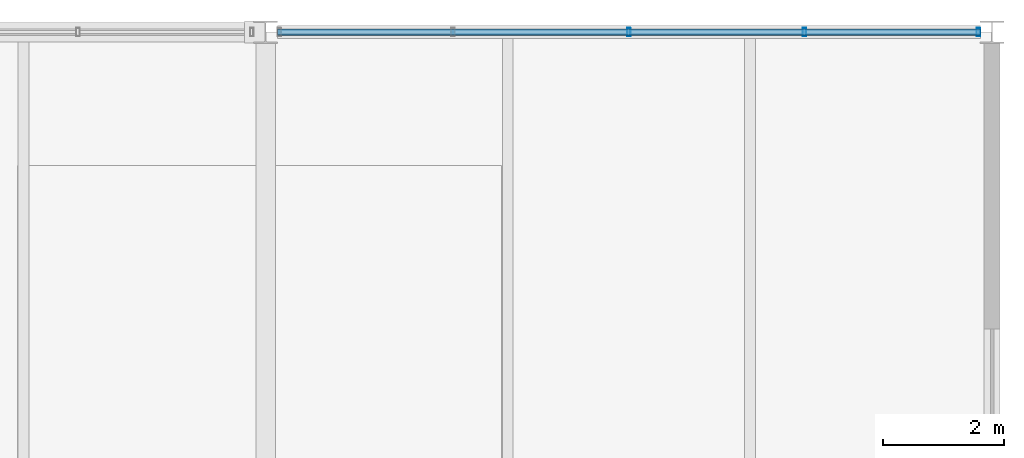
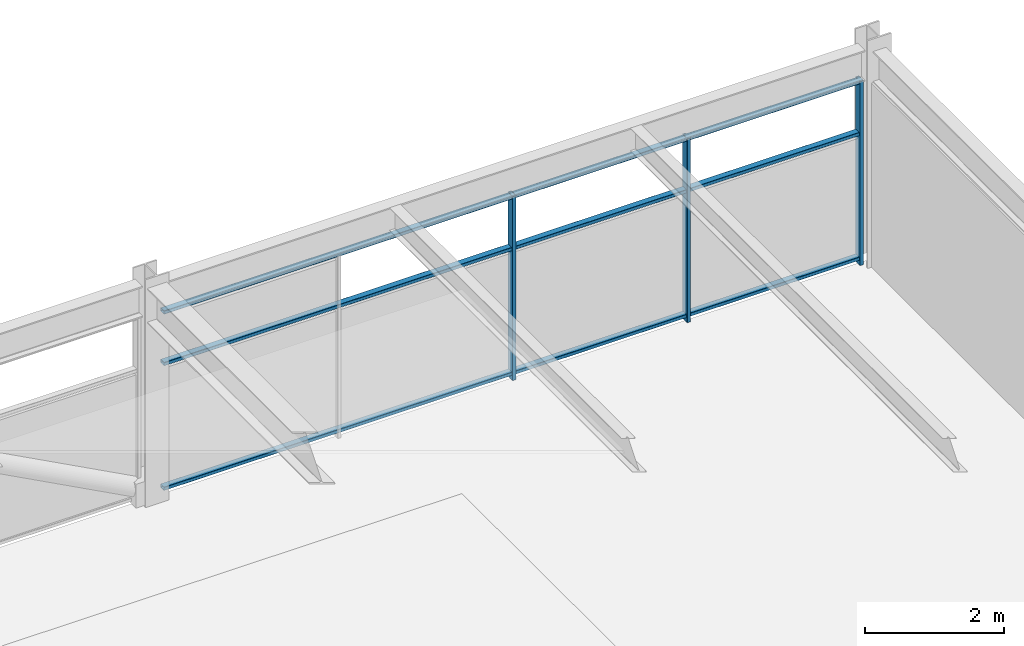
# One storey, part 42 of 52: 6 members, 1 element without a shape of its own.
"""IFC4 building model written with IfcOpenShell, lengths in metres."""

import ifcopenshell
import ifcopenshell.guid

model = None  # the IFC model being written
_history = None  # IfcOwnerHistory: only IFC2X3 demands one
_inside = {}  # id of a spatial element -> (the spatial element, [elements in it])
_under = {}  # id of a project, library or spatial element -> (it, [spatial elements below it])
_declared = {}  # id of a project -> (the project, [libraries it declares])
_typed = {}  # id of a type object -> (the type object, [elements of that type])
_made_of = {}  # id of a material, layer set ... -> (it, [elements and type objects made of it])


def new_model(schema):
    """Start an empty IFC model of exactly this schema.

    Asked for "IFC4X3", IfcOpenShell would pick the latest addendum, in which some entities
    have other attributes; the version numbers below select the first issue.
    IFC2X3 requires an IfcOwnerHistory on every rooted entity: one is made here for all.
    """
    global model, _history
    if schema == "IFC4X3":
        model = ifcopenshell.file(schema_version=(4, 3, 0, 0))
    else:
        model = ifcopenshell.file(schema=schema)
    _inside.clear()
    _under.clear()
    _declared.clear()
    _typed.clear()
    _made_of.clear()
    _history = None
    if model.schema == "IFC2X3":
        org = make("IfcOrganization", Name="unknown")
        user = make(
            "IfcPersonAndOrganization",
            ThePerson=make("IfcPerson", FamilyName="unknown"),
            TheOrganization=org,
        )
        app = make(
            "IfcApplication",
            ApplicationDeveloper=org,
            Version="unknown",
            ApplicationFullName="unknown",
            ApplicationIdentifier="unknown",
        )
        _history = make(
            "IfcOwnerHistory",
            OwningUser=user,
            OwningApplication=app,
            ChangeAction="ADDED",
            CreationDate=0,
        )
    return model


def make(cls, **values):
    """One entity of the class cls with the attributes given. An attribute that is None is left unset."""
    return model.create_entity(
        cls, **{name: value for name, value in values.items() if value is not None}
    )


def rooted(cls, **values):
    """An entity with a GlobalId (a new one), such as an element, a storey or a relation."""
    return make(cls, GlobalId=ifcopenshell.guid.new(), OwnerHistory=_history, **values)


def si_unit(unit_type, name, prefix=None):
    """IfcSIUnit, for example si_unit("LENGTHUNIT", "METRE", prefix="MILLI")."""
    return make("IfcSIUnit", UnitType=unit_type, Prefix=prefix, Name=name)


def assignment(units):
    """IfcUnitAssignment: the units of a project."""
    return None if units is None else make("IfcUnitAssignment", Units=units)


def point(xyz):
    """IfcCartesianPoint."""
    return None if xyz is None else make("IfcCartesianPoint", Coordinates=xyz)


def direction(xyz):
    """IfcDirection."""
    return None if xyz is None else make("IfcDirection", DirectionRatios=xyz)


def frame(location, z_axis=None, x_axis=None):
    """IfcAxis2Placement3D, a coordinate frame: its origin and axes. An axis left out is left unset."""
    return make(
        "IfcAxis2Placement3D",
        Location=point(location),
        Axis=direction(z_axis),
        RefDirection=direction(x_axis),
    )


def frame_2d(location, x_axis=None):
    """IfcAxis2Placement2D, a coordinate frame in the plane: its origin and x axis."""
    return make(
        "IfcAxis2Placement2D", Location=point(location), RefDirection=direction(x_axis)
    )


def origin():
    """The frame at (0, 0, 0) with its axes left unset."""
    return frame((0.0, 0.0, 0.0))


def origin_2d():
    """The frame at (0, 0) in the plane with its x axis left unset."""
    return frame_2d((0.0, 0.0))


def place(relative_to, where):
    """IfcLocalPlacement: puts the frame where relative to a parent placement (None: the world)."""
    return make(
        "IfcLocalPlacement", PlacementRelTo=relative_to, RelativePlacement=where
    )


def context(
    kind, dimensions, precision=None, world=None, true_north=None, identifier=None
):
    """IfcGeometricRepresentationContext, for example the 3D "Model" context."""
    return make(
        "IfcGeometricRepresentationContext",
        ContextIdentifier=identifier,
        ContextType=kind,
        CoordinateSpaceDimension=dimensions,
        Precision=precision,
        WorldCoordinateSystem=world,
        TrueNorth=true_north,
    )


def subcontext(parent, identifier, kind, view, scale=None):
    """IfcGeometricRepresentationSubContext, for example "Body" below "Model"."""
    return make(
        "IfcGeometricRepresentationSubContext",
        ContextIdentifier=identifier,
        ContextType=kind,
        ParentContext=parent,
        TargetScale=scale,
        TargetView=view,
    )


def project(units=None, contexts=None):
    """IfcProject with its units and contexts."""
    return rooted(
        "IfcProject",
        Name="project",
        RepresentationContexts=contexts,
        UnitsInContext=assignment(units),
    )


def spatial(cls, under=None, at=None, **own):
    """A site, building, storey or space (cls), placed at a placement, below another one or the project."""
    s = rooted(cls, ObjectPlacement=at, **own)
    if under is not None:
        _under.setdefault(under.id(), (under, []))[1].append(s)
    return s


def profile(cls, at=None, kind="AREA", **sizes):
    """A parametric profile (cls). Its sizes go by their IFC names, for example OverallWidth=200.0."""
    return make(cls, ProfileType=kind, Position=at, **sizes)


def hollow_rectangle(**sizes):
    """IfcRectangleHollowProfileDef."""
    return profile("IfcRectangleHollowProfileDef", **sizes)


def extrude(swept, where, along, depth):
    """IfcExtrudedAreaSolid: the profile swept, set in the frame where, extruded along a direction by depth."""
    return make(
        "IfcExtrudedAreaSolid",
        SweptArea=swept,
        Position=where,
        ExtrudedDirection=direction(along),
        Depth=depth,
    )


def shape(context_of_items, identifier, shape_type, items):
    """IfcShapeRepresentation: the items that make up one representation, for example the "Body"."""
    return make(
        "IfcShapeRepresentation",
        ContextOfItems=context_of_items,
        RepresentationIdentifier=identifier,
        RepresentationType=shape_type,
        Items=items,
    )


def material(Name=None, Category=None):
    """IfcMaterial."""
    return make("IfcMaterial", Name=Name, Category=Category)


def material_profile(
    of_material, cross_section, Name=None, Category=None, Priority=None
):
    """IfcMaterialProfile: a cross section and its material."""
    return make(
        "IfcMaterialProfile",
        Name=Name,
        Material=of_material,
        Profile=cross_section,
        Priority=Priority,
        Category=Category,
    )


def profile_set(profiles, Name=None, composite=None):
    """IfcMaterialProfileSet."""
    return make(
        "IfcMaterialProfileSet",
        Name=Name,
        MaterialProfiles=profiles,
        CompositeProfile=composite,
    )


def made_of(thing, what):
    """Note that an element or type object is made of a material, layer set ...; save() writes the relation."""
    if what is not None:
        _made_of.setdefault(what.id(), (what, []))[1].append(thing)
    return thing


def type_object(cls, material=None, **own):
    """A type object (cls), such as IfcWallType, which elements share."""
    return made_of(rooted(cls, **own), material)


def element(
    cls,
    number,
    at=None,
    inside=None,
    cuts=None,
    type_object=None,
    material=None,
    context=None,
    identifier="Body",
    shape_type=None,
    held_by="IfcProductDefinitionShape",
    body=None,
    shapes=None,
    **own,
):
    """One element of the class cls, such as IfcWall. Its Tag is "e" and its number.

    at: its placement. inside: the storey or other place that contains it. cuts: it is an
    opening in that element (IfcRelVoidsElement). A single representation is given by context,
    identifier, shape_type and body (its items); several are given by shapes. held_by: the class
    of the entity that holds the representations. save() writes the other relations.
    """
    e = rooted(cls, Tag="e%d" % number, ObjectPlacement=at, **own)
    if body is not None:
        shapes = [shape(context, identifier, shape_type, body)]
    if shapes is not None:
        e.Representation = make(held_by, Representations=shapes)
    if inside is not None:
        _inside.setdefault(inside.id(), (inside, []))[1].append(e)
    if cuts is not None:
        rooted(
            "IfcRelVoidsElement", RelatingBuildingElement=cuts, RelatedOpeningElement=e
        )
    if type_object is not None:
        _typed.setdefault(type_object.id(), (type_object, []))[1].append(e)
    return made_of(e, material)


def aggregate(whole, parts):
    """IfcRelAggregates: a whole, such as a stair, and the parts it consists of."""
    return rooted("IfcRelAggregates", RelatingObject=whole, RelatedObjects=parts)


def save(model, path):
    """Write the relations noted so far, then the file.

    IfcRelAggregates (storeys below a building ...), IfcRelContainedInSpatialStructure (elements
    in a storey), IfcRelDefinesByType, IfcRelAssociatesMaterial and IfcRelDeclares: one each for
    every whole, place, type object, material and project.
    """
    for whole, parts in _under.values():
        aggregate(whole, parts)
    for where, things in _inside.values():
        rooted(
            "IfcRelContainedInSpatialStructure",
            RelatedElements=things,
            RelatingStructure=where,
        )
    for kind, things in _typed.values():
        rooted("IfcRelDefinesByType", RelatedObjects=things, RelatingType=kind)
    for what, things in _made_of.values():
        rooted("IfcRelAssociatesMaterial", RelatedObjects=things, RelatingMaterial=what)
    for by, libraries in _declared.values():
        rooted("IfcRelDeclares", RelatingContext=by, RelatedDefinitions=libraries)
    model.write(path)


model = new_model("IFC4")

# Units and contexts
model_context = context("Model", 3, precision=1e-05, world=origin(), true_north=direction((0.0, 1.0)))
body_context = subcontext(model_context, "Body", "Model", "MODEL_VIEW")
ifc_project = project(units=[si_unit("LENGTHUNIT", "METRE"), si_unit("AREAUNIT", "SQUARE_METRE"), si_unit("VOLUMEUNIT", "CUBIC_METRE"), si_unit("PLANEANGLEUNIT", "RADIAN"), si_unit("MASSUNIT", "GRAM", prefix="KILO")], contexts=[model_context])

# Site, building, storey
site_placement = place(None, origin())
site = spatial("IfcSite", under=ifc_project, at=site_placement, CompositionType="ELEMENT")
building_placement = place(site_placement, origin())
building = spatial("IfcBuilding", under=site, at=building_placement, Name="Girod Span Mobility Hub", CompositionType="ELEMENT")
storey_placement = place(building_placement, frame((0.0, 0.0, 45.60009765625)))
storey = spatial("IfcBuildingStorey", under=building, at=storey_placement, Name="L11", CompositionType="ELEMENT", Elevation=45.60009765625)

# Curtain wall, members
ifc_material_1 = material(Name="Thermally Broken Anodised Aluminium", Category="aluminium")
curtain_wall_type = type_object("IfcCurtainWallType", Name="CW-1161X324", PredefinedType="USERDEFINED", material=ifc_material_1)
curtain_wall_placement = place(storey_placement, origin())
curtain_wall = element("IfcCurtainWall", 1, at=curtain_wall_placement, inside=storey, type_object=curtain_wall_type, Name="Unitised Curtain Wall CW-L11-N12 L11", ObjectType="UNITISED CURTAIN WALL", PredefinedType="USERDEFINED")
ifc_material_2 = material(Name="Thermally Broken Anodised Aluminium", Category="aluminium")
ifc_material_profile_1 = material_profile(ifc_material_2, hollow_rectangle(XDim=0.139892578125, YDim=0.06005859375, WallThickness=0.00341796875, InnerFilletRadius=0.00341796875, OuterFilletRadius=0.007080078125, at=origin_2d()), Name="CW-ML-60X140")
ifc_profile_set_1 = profile_set([ifc_material_profile_1], Name="Thermally Broken Anodised Aluminium")
member_type_1 = type_object("IfcMemberType", Name="CWM-ML-4", PredefinedType="MULLION", material=ifc_profile_set_1)
member_1_placement = place(storey_placement, frame((138.0, 69.0, 0.0), z_axis=(0.0, 0.0, 1.0), x_axis=(0.0, 1.0, 0.0)))
member_1 = element("IfcMember", 2, at=member_1_placement, type_object=member_type_1, Name="Curtain Wall Mullion CW-L11-N12-M2", PredefinedType="MULLION", context=body_context, shape_type="SweptSolid", body=[
    extrude(hollow_rectangle(XDim=0.139892578125, YDim=0.06005859375, WallThickness=0.00341796875, InnerFilletRadius=0.00341796875, OuterFilletRadius=0.007080078125, at=origin_2d()), origin(), (0.0, 0.0, 1.0), 3.23583984375),
])
member_2_placement = place(storey_placement, frame((140.902587890625, 69.0, 0.0), z_axis=(0.0, 0.0, 1.0), x_axis=(0.0, 1.0, 0.0)))
member_2 = element("IfcMember", 3, at=member_2_placement, type_object=member_type_1, Name="Curtain Wall Mullion CW-L11-N12-M3", PredefinedType="MULLION", context=body_context, shape_type="SweptSolid", body=[
    extrude(hollow_rectangle(XDim=0.139892578125, YDim=0.06005859375, WallThickness=0.00341796875, InnerFilletRadius=0.00341796875, OuterFilletRadius=0.007080078125, at=origin_2d()), origin(), (0.0, 0.0, 1.0), 3.23583984375),
])
member_3_placement = place(storey_placement, frame((143.77294921875, 69.0, 0.0), z_axis=(0.0, 0.0, 1.0), x_axis=(0.0, 1.0, 0.0)))
member_3 = element("IfcMember", 4, at=member_3_placement, type_object=member_type_1, Name="Curtain Wall Mullion CW-L11-N12-M4", PredefinedType="MULLION", context=body_context, shape_type="SweptSolid", body=[
    extrude(hollow_rectangle(XDim=0.139892578125, YDim=0.06005859375, WallThickness=0.00341796875, InnerFilletRadius=0.00341796875, OuterFilletRadius=0.007080078125, at=origin_2d()), origin(), (0.0, 0.0, 1.0), 3.23583984375),
])
ifc_material_3 = material(Name="Thermally Broken Anodised Aluminium", Category="aluminium")
ifc_material_profile_2 = material_profile(ifc_material_3, hollow_rectangle(XDim=0.10498046875, YDim=0.06005859375, WallThickness=0.00341796875, InnerFilletRadius=0.00341796875, OuterFilletRadius=0.007080078125, at=origin_2d()), Name="CW-TR-60X105")
ifc_profile_set_2 = profile_set([ifc_material_profile_2], Name="Thermally Broken Anodised Aluminium")
member_type_2 = type_object("IfcMemberType", Name="CWM-TR-4", PredefinedType="USERDEFINED", material=ifc_profile_set_2)
member_4_placement = place(storey_placement, frame((132.195068359375, 69.0, 0.10986328125), z_axis=(1.0, 0.0, 0.0), x_axis=(0.0, 1.0, 0.0)))
member_4 = element("IfcMember", 5, at=member_4_placement, type_object=member_type_2, Name="Curtain Wall Transom CW-L11-N12-T1", ObjectType="TRANSOM", PredefinedType="USERDEFINED", context=body_context, shape_type="SweptSolid", body=[
    extrude(hollow_rectangle(XDim=0.10498046875, YDim=0.06005859375, WallThickness=0.00341796875, InnerFilletRadius=0.00341796875, OuterFilletRadius=0.007080078125, at=origin_2d()), origin(), (0.0, 0.0, 1.0), 11.60986328125),
])
member_5_placement = place(storey_placement, frame((132.195068359375, 69.0, 2.2998046875), z_axis=(1.0, 0.0, 0.0), x_axis=(0.0, 1.0, 0.0)))
member_5 = element("IfcMember", 6, at=member_5_placement, type_object=member_type_2, Name="Curtain Wall Transom CW-L11-N12-T2", ObjectType="TRANSOM", PredefinedType="USERDEFINED", context=body_context, shape_type="SweptSolid", body=[
    extrude(hollow_rectangle(XDim=0.10498046875, YDim=0.06005859375, WallThickness=0.00341796875, InnerFilletRadius=0.00341796875, OuterFilletRadius=0.007080078125, at=origin_2d()), origin(), (0.0, 0.0, 1.0), 11.60986328125),
])
member_6_placement = place(storey_placement, frame((132.195068359375, 69.0, 3.205810546875), z_axis=(1.0, 0.0, 0.0), x_axis=(0.0, 1.0, 0.0)))
member_6 = element("IfcMember", 7, at=member_6_placement, type_object=member_type_2, Name="Curtain Wall Transom CW-L11-N12-T3", ObjectType="TRANSOM", PredefinedType="USERDEFINED", context=body_context, shape_type="SweptSolid", body=[
    extrude(hollow_rectangle(XDim=0.10498046875, YDim=0.06005859375, WallThickness=0.00341796875, InnerFilletRadius=0.00341796875, OuterFilletRadius=0.007080078125, at=origin_2d()), origin(), (0.0, 0.0, 1.0), 11.60986328125),
])
aggregate(curtain_wall, [member_1, member_2, member_3, member_4, member_5, member_6])

save(model, "model.ifc")
